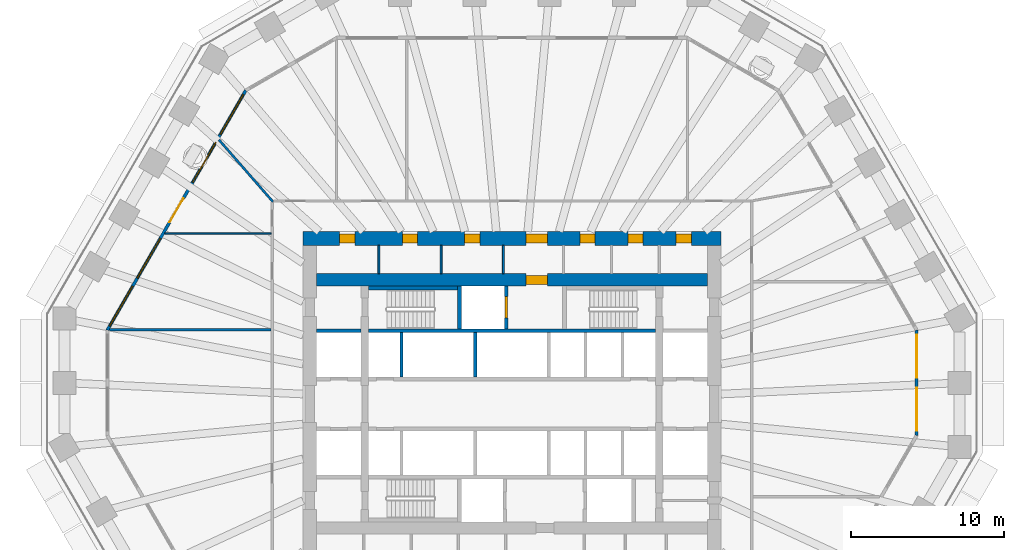
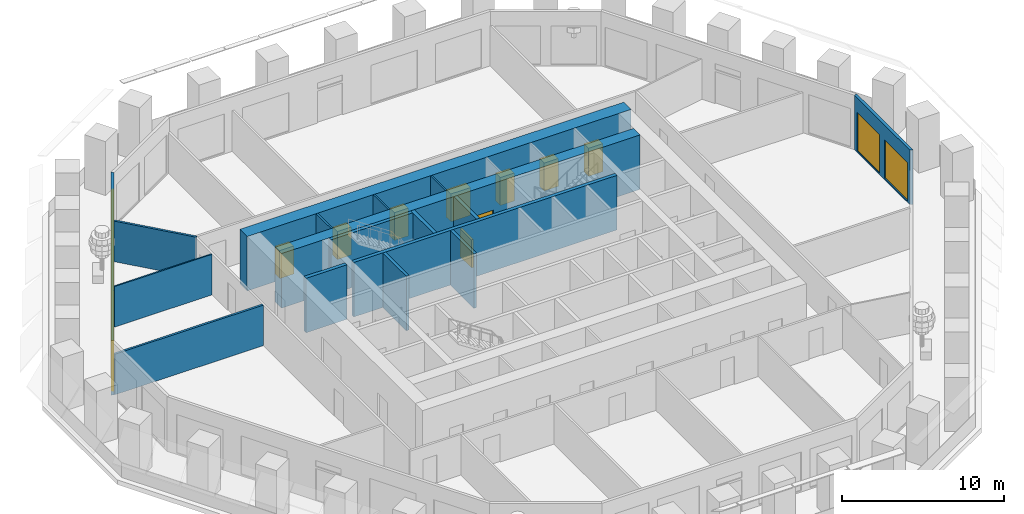
# One storey, part 6 of 12: 17 walls, 10 doors, 7 windows, 17 openings.
"""IFC4 building model written with IfcOpenShell, lengths in metres."""

from ifc_helpers import new_model, si_unit, direction, frame, frame_2d, origin, place, context, subcontext, project, spatial, polyline, rectangle, outline, extrude, material, layer, layer_set, type_object, element, fill, save


model = new_model("IFC4")

# Units and contexts
model_context = context("Model", 3, precision=1e-05, world=origin(), true_north=direction((0.0, 1.0)))
body_context = subcontext(model_context, "Body", "Model", "MODEL_VIEW")
ifc_project = project(units=[si_unit("LENGTHUNIT", "METRE"), si_unit("AREAUNIT", "SQUARE_METRE"), si_unit("VOLUMEUNIT", "CUBIC_METRE"), si_unit("PLANEANGLEUNIT", "RADIAN"), si_unit("MASSUNIT", "GRAM", prefix="KILO")], contexts=[model_context])

# Site, building, storey
site_placement = place(None, origin())
site = spatial("IfcSite", under=ifc_project, at=site_placement, CompositionType="ELEMENT")
building_placement = place(site_placement, origin())
building = spatial("IfcBuilding", under=site, at=building_placement, Name="Frailejon Research Tower", CompositionType="ELEMENT")
storey_placement = place(building_placement, frame((0.0, 0.0, 58.60009765625)))
storey = spatial("IfcBuildingStorey", under=building, at=storey_placement, Name="L13", CompositionType="ELEMENT", Elevation=58.60009765625)

# Walls
ifc_material_1 = material(Name="Plasterboard on steel studs", Category="steel")
ifc_layer_1 = layer(ifc_material_1, 0.125)
ifc_layer_set_1 = layer_set([ifc_layer_1], Name="Core partition 125")
wall_type_1 = type_object("IfcWallType", Name="Core partition 125", PredefinedType="PARTITIONING", material=ifc_layer_set_1)
for number, where, z_axis, x_axis, name in (
    (1, (-8.6875, 8.5, 0.0), (0.0, 0.0, 1.0), (0.0, 1.0, 0.0), "Core partition"),
    (2, (-4.625, 8.5, 0.0), (0.0, 0.0, 1.0), (0.0, 1.0, 0.0), "Core partition"),
    (3, (-0.5625, 8.5, 0.0), (0.0, 0.0, 1.0), (0.0, 1.0, 0.0), "Core partition"),
):
    element("IfcWall", number, at=place(storey_placement, frame(where, z_axis=z_axis, x_axis=x_axis)), inside=storey, type_object=wall_type_1, Name=name, PredefinedType="PARTITIONING", context=body_context, shape_type="SweptSolid", body=[
        extrude(rectangle(XDim=1.85009765625, YDim=0.125, at=frame_2d((0.925048828125, 0.0))), origin(), (0.0, 0.0, 1.0), 4.099853515625),
    ])

# Wall, opening, door
ifc_material_2 = material(Name="Concrete C70/85", Category="concrete")
ifc_layer_2 = layer(ifc_material_2, 0.800048828125)
ifc_layer_set_2 = layer_set([ifc_layer_2], Name="Core shear wall 800 C70/85")
wall_type_2 = type_object("IfcWallType", Name="Core shear wall 800 C70/85", PredefinedType="SHEAR", material=ifc_layer_set_2)
wall_1_placement = place(storey_placement, frame((-12.75, 8.10009765625, 0.0), z_axis=(0.0, 0.0, 1.0), x_axis=(1.0, 0.0, 0.0)))
wall_1 = element("IfcWall", 4, at=wall_1_placement, inside=storey, type_object=wall_type_2, Name="Core shear wall", PredefinedType="SHEAR", context=body_context, shape_type="SweptSolid", body=[
    extrude(rectangle(XDim=25.5, YDim=0.800048828125, at=frame_2d((12.75, 0.0))), origin(), (0.0, 0.0, 1.0), 4.099853515625),
])
opening_1_placement = place(wall_1_placement, frame((13.675048828125, 0.0, 0.0)))
opening_1 = element("IfcOpeningElement", 5, at=opening_1_placement, cuts=wall_1, Name="Opening D9", PredefinedType="OPENING", context=body_context, shape_type="SweptSolid", body=[
    extrude(rectangle(XDim=1.39990234375, YDim=2.10009765625, at=frame_2d((0.699951171875, 1.050048828125))), frame((0.0, 0.409912109375, 0.0), z_axis=(0.0, -1.0, 0.0), x_axis=(1.0, 0.0, 0.0)), (0.0, 0.0, 1.0), 0.820068359375),
])
ifc_material_3 = material(Name="Steel", Category="steel")
door_type_1 = type_object("IfcDoorType", Name="Goods lobby door", OperationType="DOUBLE_DOOR_SINGLE_SWING", PredefinedType="DOOR", material=ifc_material_3)
door_1_placement = place(opening_1_placement, origin())
door_1 = element("IfcDoor", 6, at=door_1_placement, inside=storey, type_object=door_type_1, Name="Goods lobby door", OperationType="DOUBLE_DOOR_SINGLE_SWING", OverallHeight=2.10009765625, OverallWidth=1.39990234375, PredefinedType="DOOR", context=body_context, shape_type="SweptSolid", body=[
    extrude(rectangle(XDim=1.39990234375, YDim=2.10009765625, at=frame_2d((0.699951171875, 1.050048828125))), frame((0.0, 0.300048828125, 0.0), z_axis=(0.0, -1.0, 0.0), x_axis=(1.0, 0.0, 0.0)), (0.0, 0.0, 1.0), 0.60009765625),
])
fill(opening_1, door_1)

# Wall, openings, doors
ifc_material_4 = material(Name="Concrete C70/85", Category="concrete")
ifc_layer_3 = layer(ifc_material_4, 0.89990234375)
ifc_layer_set_3 = layer_set([ifc_layer_3], Name="Core shear wall 900 C70/85")
wall_type_3 = type_object("IfcWallType", Name="Core shear wall 900 C70/85", PredefinedType="SHEAR", material=ifc_layer_set_3)
wall_2_placement = place(storey_placement, frame((-13.64990234375, 10.800048828125, 0.0), z_axis=(0.0, 0.0, 1.0), x_axis=(1.0, 0.0, 0.0)))
wall_2 = element("IfcWall", 7, at=wall_2_placement, inside=storey, type_object=wall_type_3, Name="Core shear wall", PredefinedType="SHEAR", context=body_context, shape_type="SweptSolid", body=[
    extrude(rectangle(XDim=27.2998046875, YDim=0.89990234375, at=frame_2d((13.64990234375, 0.0))), origin(), (0.0, 0.0, 1.0), 4.099853515625),
])
opening_2_placement = place(wall_2_placement, frame((2.39990234375, 0.0, 0.0)))
opening_2 = element("IfcOpeningElement", 8, at=opening_2_placement, cuts=wall_2, Name="Opening D4", PredefinedType="OPENING", context=body_context, shape_type="SweptSolid", body=[
    extrude(rectangle(XDim=1.0, YDim=2.10009765625, at=frame_2d((0.5, 1.050048828125))), frame((0.0, 0.4599609375, 0.0), z_axis=(0.0, -1.0, 0.0), x_axis=(1.0, 0.0, 0.0)), (0.0, 0.0, 1.0), 0.919921875),
])
opening_3_placement = place(wall_2_placement, frame((6.49365234375, 0.0, 0.0)))
opening_3 = element("IfcOpeningElement", 9, at=opening_3_placement, cuts=wall_2, Name="Opening D4", PredefinedType="OPENING", context=body_context, shape_type="SweptSolid", body=[
    extrude(rectangle(XDim=1.0, YDim=2.10009765625, at=frame_2d((0.5, 1.050048828125))), frame((0.0, 0.4599609375, 0.0), z_axis=(0.0, -1.0, 0.0), x_axis=(1.0, 0.0, 0.0)), (0.0, 0.0, 1.0), 0.919921875),
])
opening_4_placement = place(wall_2_placement, frame((10.55615234375, 0.0, 0.0)))
opening_4 = element("IfcOpeningElement", 10, at=opening_4_placement, cuts=wall_2, Name="Opening D4", PredefinedType="OPENING", context=body_context, shape_type="SweptSolid", body=[
    extrude(rectangle(XDim=1.0, YDim=2.10009765625, at=frame_2d((0.5, 1.050048828125))), frame((0.0, 0.4599609375, 0.0), z_axis=(0.0, -1.0, 0.0), x_axis=(1.0, 0.0, 0.0)), (0.0, 0.0, 1.0), 0.919921875),
])
opening_5_placement = place(wall_2_placement, frame((18.0771484375, 0.0, 0.0)))
opening_5 = element("IfcOpeningElement", 11, at=opening_5_placement, cuts=wall_2, Name="Opening D4", PredefinedType="OPENING", context=body_context, shape_type="SweptSolid", body=[
    extrude(rectangle(XDim=1.0, YDim=2.10009765625, at=frame_2d((0.5, 1.050048828125))), frame((0.0, 0.4599609375, 0.0), z_axis=(0.0, -1.0, 0.0), x_axis=(1.0, 0.0, 0.0)), (0.0, 0.0, 1.0), 0.919921875),
])
opening_6_placement = place(wall_2_placement, frame((21.206298828125, 0.0, 0.0)))
opening_6 = element("IfcOpeningElement", 12, at=opening_6_placement, cuts=wall_2, Name="Opening D4", PredefinedType="OPENING", context=body_context, shape_type="SweptSolid", body=[
    extrude(rectangle(XDim=1.0, YDim=2.10009765625, at=frame_2d((0.5, 1.050048828125))), frame((0.0, 0.4599609375, 0.0), z_axis=(0.0, -1.0, 0.0), x_axis=(1.0, 0.0, 0.0)), (0.0, 0.0, 1.0), 0.919921875),
])
opening_7_placement = place(wall_2_placement, frame((24.36669921875, 0.0, 0.0)))
opening_7 = element("IfcOpeningElement", 13, at=opening_7_placement, cuts=wall_2, Name="Opening D4", PredefinedType="OPENING", context=body_context, shape_type="SweptSolid", body=[
    extrude(rectangle(XDim=1.0, YDim=2.10009765625, at=frame_2d((0.5, 1.050048828125))), frame((0.0, 0.4599609375, 0.0), z_axis=(0.0, -1.0, 0.0), x_axis=(1.0, 0.0, 0.0)), (0.0, 0.0, 1.0), 0.919921875),
])
opening_8_placement = place(wall_2_placement, frame((14.574951171875, 0.0, 0.0)))
opening_8 = element("IfcOpeningElement", 14, at=opening_8_placement, cuts=wall_2, Name="Opening D9", PredefinedType="OPENING", context=body_context, shape_type="SweptSolid", body=[
    extrude(rectangle(XDim=1.39990234375, YDim=2.10009765625, at=frame_2d((0.699951171875, 1.050048828125))), frame((0.0, 0.4599609375, 0.0), z_axis=(0.0, -1.0, 0.0), x_axis=(1.0, 0.0, 0.0)), (0.0, 0.0, 1.0), 0.919921875),
])
door_2_placement = place(opening_8_placement, origin())
door_2 = element("IfcDoor", 15, at=door_2_placement, inside=storey, type_object=door_type_1, Name="Passage door", OperationType="DOUBLE_DOOR_SINGLE_SWING", OverallHeight=2.10009765625, OverallWidth=1.39990234375, PredefinedType="DOOR", context=body_context, shape_type="SweptSolid", body=[
    extrude(rectangle(XDim=1.39990234375, YDim=2.10009765625, at=frame_2d((0.699951171875, 1.050048828125))), frame((0.0, 0.300048828125, 0.0), z_axis=(0.0, -1.0, 0.0), x_axis=(1.0, 0.0, 0.0)), (0.0, 0.0, 1.0), 0.60009765625),
])
fill(opening_8, door_2)
ifc_material_5 = material(Name="Steel", Category="steel")
door_type_2 = type_object("IfcDoorType", Name="Service door", OperationType="SINGLE_SWING_LEFT", PredefinedType="DOOR", material=ifc_material_5)
door_3_placement = place(opening_2_placement, origin())
door_3 = element("IfcDoor", 16, at=door_3_placement, inside=storey, type_object=door_type_2, Name="Room door", OperationType="SINGLE_SWING_RIGHT", OverallHeight=2.10009765625, OverallWidth=1.0, PredefinedType="DOOR", context=body_context, shape_type="SweptSolid", body=[
    extrude(rectangle(XDim=1.0, YDim=2.10009765625, at=frame_2d((0.5, 1.050048828125))), frame((0.0, 0.300048828125, 0.0), z_axis=(0.0, -1.0, 0.0), x_axis=(1.0, 0.0, 0.0)), (0.0, 0.0, 1.0), 0.60009765625),
])
fill(opening_2, door_3)
door_4_placement = place(opening_3_placement, origin())
door_4 = element("IfcDoor", 17, at=door_4_placement, inside=storey, type_object=door_type_2, Name="Room door", OperationType="SINGLE_SWING_LEFT", OverallHeight=2.10009765625, OverallWidth=1.0, PredefinedType="DOOR", context=body_context, shape_type="SweptSolid", body=[
    extrude(rectangle(XDim=1.0, YDim=2.10009765625, at=frame_2d((0.5, 1.050048828125))), frame((0.0, 0.300048828125, 0.0), z_axis=(0.0, -1.0, 0.0), x_axis=(1.0, 0.0, 0.0)), (0.0, 0.0, 1.0), 0.60009765625),
])
fill(opening_3, door_4)
door_5_placement = place(opening_4_placement, origin())
door_5 = element("IfcDoor", 18, at=door_5_placement, inside=storey, type_object=door_type_2, Name="Room door", OperationType="SINGLE_SWING_RIGHT", OverallHeight=2.10009765625, OverallWidth=1.0, PredefinedType="DOOR", context=body_context, shape_type="SweptSolid", body=[
    extrude(rectangle(XDim=1.0, YDim=2.10009765625, at=frame_2d((0.5, 1.050048828125))), frame((0.0, 0.300048828125, 0.0), z_axis=(0.0, -1.0, 0.0), x_axis=(1.0, 0.0, 0.0)), (0.0, 0.0, 1.0), 0.60009765625),
])
fill(opening_4, door_5)
door_6_placement = place(opening_5_placement, origin())
door_6 = element("IfcDoor", 19, at=door_6_placement, inside=storey, type_object=door_type_2, Name="Room door", OperationType="SINGLE_SWING_LEFT", OverallHeight=2.10009765625, OverallWidth=1.0, PredefinedType="DOOR", context=body_context, shape_type="SweptSolid", body=[
    extrude(rectangle(XDim=1.0, YDim=2.10009765625, at=frame_2d((0.5, 1.050048828125))), frame((0.0, 0.300048828125, 0.0), z_axis=(0.0, -1.0, 0.0), x_axis=(1.0, 0.0, 0.0)), (0.0, 0.0, 1.0), 0.60009765625),
])
fill(opening_5, door_6)
door_7_placement = place(opening_6_placement, origin())
door_7 = element("IfcDoor", 20, at=door_7_placement, inside=storey, type_object=door_type_2, Name="Room door", OperationType="SINGLE_SWING_RIGHT", OverallHeight=2.10009765625, OverallWidth=1.0, PredefinedType="DOOR", context=body_context, shape_type="SweptSolid", body=[
    extrude(rectangle(XDim=1.0, YDim=2.10009765625, at=frame_2d((0.5, 1.050048828125))), frame((0.0, 0.300048828125, 0.0), z_axis=(0.0, -1.0, 0.0), x_axis=(1.0, 0.0, 0.0)), (0.0, 0.0, 1.0), 0.60009765625),
])
fill(opening_6, door_7)
door_8_placement = place(opening_7_placement, origin())
door_8 = element("IfcDoor", 21, at=door_8_placement, inside=storey, type_object=door_type_2, Name="Room door", OperationType="SINGLE_SWING_LEFT", OverallHeight=2.10009765625, OverallWidth=1.0, PredefinedType="DOOR", context=body_context, shape_type="SweptSolid", body=[
    extrude(rectangle(XDim=1.0, YDim=2.10009765625, at=frame_2d((0.5, 1.050048828125))), frame((0.0, 0.300048828125, 0.0), z_axis=(0.0, -1.0, 0.0), x_axis=(1.0, 0.0, 0.0)), (0.0, 0.0, 1.0), 0.60009765625),
])
fill(opening_7, door_8)

# Walls
ifc_material_6 = material(Name="Gypsum board and masonry partition", Category="masonry")
ifc_layer_4 = layer(ifc_material_6, 0.14990234375)
ifc_layer_set_4 = layer_set([ifc_layer_4], Name="Laboratory partition, blockwork 150")
wall_type_4 = type_object("IfcWallType", Name="Laboratory partition, blockwork 150", PredefinedType="PARTITIONING", material=ifc_layer_set_4)
wall_3_placement = place(storey_placement, frame((-19.125732421875, 17.23876953125, 0.0), z_axis=(0.0, 0.0, 1.0), x_axis=(0.65698603945, -0.753902741717, 0.0)))
element("IfcWall", 22, at=wall_3_placement, inside=storey, type_object=wall_type_4, Name="T:IW:L13:010", PredefinedType="PARTITIONING", context=body_context, shape_type="SweptSolid", body=[
    extrude(rectangle(XDim=5.36572265625, YDim=0.14990234375, at=frame_2d((2.682861328125, 0.0))), origin(), (0.0, 0.0, 1.0), 3.0498046875),
])
wall_4_placement = place(storey_placement, frame((-26.2802734375, 4.846923828125, 0.0), z_axis=(0.0, 0.0, 1.0), x_axis=(1.0, 0.0, 0.0)))
element("IfcWall", 23, at=wall_4_placement, inside=storey, type_object=wall_type_4, Name="T:IW:L13:011", PredefinedType="PARTITIONING", context=body_context, shape_type="SweptSolid", body=[
    extrude(rectangle(XDim=10.55517578125, YDim=0.14990234375, at=frame_2d((5.277587890625, 0.0))), origin(), (0.0, 0.0, 1.0), 3.0498046875),
])
ifc_material_7 = material(Name="Gypsum board and masonry partition", Category="masonry")
ifc_layer_5 = layer(ifc_material_7, 0.10009765625)
ifc_layer_set_5 = layer_set([ifc_layer_5], Name="Partition, gypsum on steel studs 100")
wall_type_5 = type_object("IfcWallType", Name="Partition, gypsum on steel studs 100", PredefinedType="PARTITIONING", material=ifc_layer_set_5)
wall_5_placement = place(storey_placement, frame((-22.656982421875, 11.12255859375, 0.0), z_axis=(0.0, 0.0, 1.0), x_axis=(1.0, 0.0, 0.0)))
element("IfcWall", 24, at=wall_5_placement, inside=storey, type_object=wall_type_5, Name="T:IW:L13:017", PredefinedType="PARTITIONING", context=body_context, shape_type="SweptSolid", body=[
    extrude(rectangle(XDim=6.931884765625, YDim=0.10009765625, at=frame_2d((3.4658203125, 0.0))), origin(), (0.0, 0.0, 1.0), 3.0498046875),
])
ifc_material_8 = material(Name="Concrete C70/85", Category="concrete")
ifc_layer_6 = layer(ifc_material_8, 0.199951171875)
ifc_layer_set_6 = layer_set([ifc_layer_6], Name="Shaft wall 200 C70/85")
wall_type_6 = type_object("IfcWallType", Name="Shaft wall 200 C70/85", PredefinedType="SOLIDWALL", material=ifc_layer_set_6)
for number, where, z_axis, x_axis, name in (
    (25, (-7.199951171875, 1.75, 0.0), (0.0, 0.0, 1.0), (0.0, 1.0, 0.0), "Shaft wall"),
    (26, (-2.39990234375, 1.75, 0.0), (0.0, 0.0, 1.0), (0.0, 1.0, 0.0), "Shaft wall"),
):
    element("IfcWall", number, at=place(storey_placement, frame(where, z_axis=z_axis, x_axis=x_axis)), inside=storey, type_object=wall_type_6, Name=name, PredefinedType="SOLIDWALL", context=body_context, shape_type="SweptSolid", body=[
        extrude(rectangle(XDim=2.89990234375, YDim=0.199951171875, at=frame_2d((1.449951171875, 0.0))), origin(), (0.0, 0.0, 1.0), 4.099853515625),
    ])
ifc_material_9 = material(Name="Concrete C70/85", Category="concrete")
ifc_layer_7 = layer(ifc_material_9, 0.25)
ifc_layer_set_7 = layer_set([ifc_layer_7], Name="Shaft wall 250 C70/85")
wall_type_7 = type_object("IfcWallType", Name="Shaft wall 250 C70/85", PredefinedType="SOLIDWALL", material=ifc_layer_set_7)
wall_6_placement = place(storey_placement, frame((-12.75, 4.77490234375, 0.0), z_axis=(0.0, 0.0, 1.0), x_axis=(1.0, 0.0, 0.0)))
element("IfcWall", 27, at=wall_6_placement, inside=storey, type_object=wall_type_7, Name="Shaft wall", PredefinedType="SOLIDWALL", context=body_context, shape_type="SweptSolid", body=[
    extrude(rectangle(XDim=2.89990234375, YDim=0.25, at=frame_2d((1.449951171875, 0.0))), origin(), (0.0, 0.0, 1.0), 4.099853515625),
])
wall_7_placement = place(storey_placement, frame((-9.35009765625, 4.77490234375, 0.0), z_axis=(0.0, 0.0, 1.0), x_axis=(1.0, 0.0, 0.0)))
element("IfcWall", 28, at=wall_7_placement, inside=storey, type_object=wall_type_7, Name="Shaft wall", PredefinedType="SOLIDWALL", context=body_context, shape_type="SweptSolid", body=[
    extrude(rectangle(XDim=18.7001953125, YDim=0.25, at=frame_2d((9.35009765625, 0.0))), origin(), (0.0, 0.0, 1.0), 4.099853515625),
])
wall_8_placement = place(storey_placement, frame((-9.35009765625, 7.574951171875, 0.0), z_axis=(0.0, 0.0, 1.0), x_axis=(1.0, 0.0, 0.0)))
element("IfcWall", 29, at=wall_8_placement, inside=storey, type_object=wall_type_7, Name="Shaft wall", PredefinedType="SOLIDWALL", context=body_context, shape_type="SweptSolid", body=[
    extrude(rectangle(XDim=5.800048828125, YDim=0.25, at=frame_2d((2.89990234375, 0.0))), origin(), (0.0, 0.0, 1.0), 4.099853515625),
])
wall_9_placement = place(storey_placement, frame((-3.425048828125, 4.89990234375, 0.0), z_axis=(0.0, 0.0, 1.0), x_axis=(0.0, 1.0, 0.0)))
element("IfcWall", 30, at=wall_9_placement, inside=storey, type_object=wall_type_7, Name="Shaft wall", PredefinedType="SOLIDWALL", context=body_context, shape_type="SweptSolid", body=[
    extrude(rectangle(XDim=2.800048828125, YDim=0.25, at=frame_2d((1.39990234375, 0.0))), origin(), (0.0, 0.0, 1.0), 4.099853515625),
])

# Wall, opening, door
wall_10_placement = place(storey_placement, frame((-0.375, 4.89990234375, 0.0), z_axis=(0.0, 0.0, 1.0), x_axis=(0.0, 1.0, 0.0)))
wall_10 = element("IfcWall", 31, at=wall_10_placement, inside=storey, type_object=wall_type_7, Name="Shaft wall", PredefinedType="SOLIDWALL", context=body_context, shape_type="SweptSolid", body=[
    extrude(rectangle(XDim=2.800048828125, YDim=0.25, at=frame_2d((1.39990234375, 0.0))), origin(), (0.0, 0.0, 1.0), 4.099853515625),
])
opening_9_placement = place(wall_10_placement, frame((0.699951171875, 0.0, 0.0)))
opening_9 = element("IfcOpeningElement", 32, at=opening_9_placement, cuts=wall_10, Name="Opening LD2", PredefinedType="OPENING", context=body_context, shape_type="SweptSolid", body=[
    extrude(rectangle(XDim=1.39990234375, YDim=2.10009765625, at=frame_2d((0.699951171875, 1.050048828125))), frame((0.0, 0.135009765625, 0.0), z_axis=(0.0, -1.0, 0.0), x_axis=(1.0, 0.0, 0.0)), (0.0, 0.0, 1.0), 0.27001953125),
])
ifc_material_10 = material(Name="Stainless steel", Category="steel")
door_type_3 = type_object("IfcDoorType", Name="Goods landing door", OperationType="DOUBLE_DOOR_SLIDING", PredefinedType="DOOR", material=ifc_material_10)
door_9_placement = place(opening_9_placement, origin())
door_9 = element("IfcDoor", 33, at=door_9_placement, inside=storey, type_object=door_type_3, Name="Lift landing door", OperationType="DOUBLE_DOOR_SLIDING", OverallHeight=2.10009765625, OverallWidth=1.39990234375, PredefinedType="DOOR", context=body_context, shape_type="SweptSolid", body=[
    extrude(rectangle(XDim=1.39990234375, YDim=2.10009765625, at=frame_2d((0.699951171875, 1.050048828125))), frame((0.0, 0.074951171875, 0.0), z_axis=(0.0, -1.0, 0.0), x_axis=(1.0, 0.0, 0.0)), (0.0, 0.0, 1.0), 0.14990234375),
])
fill(opening_9, door_9)

# Wall, openings, windows
ifc_material_11 = material(Name="Concrete C40/50 precast window wall panel", Category="concrete")
ifc_layer_8 = layer(ifc_material_11, 0.199951171875)
ifc_layer_set_8 = layer_set([ifc_layer_8], Name="Window wall 200")
wall_type_8 = type_object("IfcWallType", Name="Window wall 200", PredefinedType="SOLIDWALL", material=ifc_layer_set_8)
wall_11_placement = place(storey_placement, frame((26.4111328125, -2.0546875, 0.0), z_axis=(0.0, 0.0, 1.0), x_axis=(0.0, 1.0, 0.0)))
wall_11 = element("IfcWall", 34, at=wall_11_placement, inside=storey, type_object=wall_type_8, Name="Exterior wall L13", PredefinedType="SOLIDWALL", context=body_context, shape_type="SweptSolid", body=[
    extrude(outline(polyline([(-0.02685546875, -0.10009765625), (1.1279296875, -0.10009765625), (2.28271484375, -0.10009765625), (3.4375, -0.10009765625), (4.592041015625, -0.10009765625), (5.746826171875, -0.10009765625), (6.901611328125, -0.10009765625), (6.847900390625, 0.10009765625), (5.7109375, 0.10009765625), (4.57421875, 0.10009765625), (3.4375, 0.10009765625), (2.300537109375, 0.10009765625), (1.16357421875, 0.10009765625), (0.02685546875, 0.10009765625), (-0.02685546875, -0.10009765625)])), origin(), (0.0, 0.0, 1.0), 4.099853515625),
])
opening_10_placement = place(wall_11_placement, frame((0.318603515625, 0.0, 0.10009765625)))
opening_10 = element("IfcOpeningElement", 35, at=opening_10_placement, cuts=wall_11, Name="Opening W3", PredefinedType="OPENING", context=body_context, shape_type="SweptSolid", body=[
    extrude(rectangle(XDim=2.800048828125, YDim=2.89990234375, at=frame_2d((1.39990234375, 1.449951171875))), frame((0.0, 0.10986328125, 0.0), z_axis=(0.0, -1.0, 0.0), x_axis=(1.0, 0.0, 0.0)), (0.0, 0.0, 1.0), 0.219970703125),
])
opening_11_placement = place(wall_11_placement, frame((3.756103515625, 0.0, 0.10009765625)))
opening_11 = element("IfcOpeningElement", 36, at=opening_11_placement, cuts=wall_11, Name="Opening W3", PredefinedType="OPENING", context=body_context, shape_type="SweptSolid", body=[
    extrude(rectangle(XDim=2.800048828125, YDim=2.89990234375, at=frame_2d((1.39990234375, 1.449951171875))), frame((0.0, 0.10986328125, 0.0), z_axis=(0.0, -1.0, 0.0), x_axis=(1.0, 0.0, 0.0)), (0.0, 0.0, 1.0), 0.219970703125),
])
ifc_material_12 = material(Name="Aluminium framed double glazing", Category="aluminium")
window_type_1 = type_object("IfcWindowType", Name="Window 2800x2900", PartitioningType="SINGLE_PANEL", PredefinedType="WINDOW", material=ifc_material_12)
window_1_placement = place(opening_10_placement, origin())
window_1 = element("IfcWindow", 37, at=window_1_placement, inside=storey, type_object=window_type_1, Name="Window L13", OverallHeight=2.89990234375, OverallWidth=2.800048828125, PartitioningType="SINGLE_PANEL", PredefinedType="WINDOW", context=body_context, shape_type="SweptSolid", body=[
    extrude(rectangle(XDim=2.800048828125, YDim=2.89990234375, at=frame_2d((1.39990234375, 1.449951171875))), frame((0.0, 0.030029296875, 0.0), z_axis=(0.0, -1.0, 0.0), x_axis=(1.0, 0.0, 0.0)), (0.0, 0.0, 1.0), 0.06005859375),
])
fill(opening_10, window_1)
window_2_placement = place(opening_11_placement, origin())
window_2 = element("IfcWindow", 38, at=window_2_placement, inside=storey, type_object=window_type_1, Name="Window L13", OverallHeight=2.89990234375, OverallWidth=2.800048828125, PartitioningType="SINGLE_PANEL", PredefinedType="WINDOW", context=body_context, shape_type="SweptSolid", body=[
    extrude(rectangle(XDim=2.800048828125, YDim=2.89990234375, at=frame_2d((1.39990234375, 1.449951171875))), frame((0.0, 0.030029296875, 0.0), z_axis=(0.0, -1.0, 0.0), x_axis=(1.0, 0.0, 0.0)), (0.0, 0.0, 1.0), 0.06005859375),
])
fill(opening_11, window_2)

# Wall, openings, door, windows
wall_12_placement = place(storey_placement, frame((-17.3798828125, 20.462646484375, 0.0), z_axis=(0.0, 0.0, 1.0), x_axis=(-0.500000137386, -0.866025324465, 0.0)))
wall_12 = element("IfcWall", 39, at=wall_12_placement, inside=storey, type_object=wall_type_8, Name="Exterior wall L13", PredefinedType="SOLIDWALL", context=body_context, shape_type="SweptSolid", body=[
    extrude(outline(polyline([(-0.02685546875, -0.10009765625), (0.9794921875, -0.10009765625), (1.986083984375, -0.10009765625), (2.992431640625, -0.10009765625), (3.9990234375, -0.10009765625), (5.00537109375, -0.10009765625), (6.011962890625, -0.10009765625), (7.018310546875, -0.10009765625), (8.02490234375, -0.10009765625), (9.03125, -0.10009765625), (10.03759765625, -0.10009765625), (11.044189453125, -0.10009765625), (12.050537109375, -0.10009765625), (13.05712890625, -0.10009765625), (14.0634765625, -0.10009765625), (15.070068359375, -0.10009765625), (16.076416015625, -0.10009765625), (17.0830078125, -0.10009765625), (18.08935546875, -0.10009765625), (18.03564453125, 0.10009765625), (17.03515625, 0.10009765625), (16.03466796875, 0.10009765625), (15.0341796875, 0.10009765625), (14.03369140625, 0.10009765625), (13.033203125, 0.10009765625), (12.03271484375, 0.10009765625), (11.0322265625, 0.10009765625), (10.03173828125, 0.10009765625), (9.03125, 0.10009765625), (8.03076171875, 0.10009765625), (7.0302734375, 0.10009765625), (6.02978515625, 0.10009765625), (5.029296875, 0.10009765625), (4.02880859375, 0.10009765625), (3.0283203125, 0.10009765625), (2.02783203125, 0.10009765625), (1.02734375, 0.10009765625), (0.02685546875, 0.10009765625), (-0.02685546875, -0.10009765625)])), origin(), (0.0, 0.0, 1.0), 4.099853515625),
])
opening_12_placement = place(wall_12_placement, frame((0.306396484375, 0.0, 0.10009765625)))
opening_12 = element("IfcOpeningElement", 40, at=opening_12_placement, cuts=wall_12, Name="Opening W4", PredefinedType="OPENING", context=body_context, shape_type="SweptSolid", body=[
    extrude(rectangle(XDim=3.0, YDim=2.89990234375, at=frame_2d((1.5, 1.449951171875))), frame((0.0, 0.10986328125, 0.0), z_axis=(0.0, -1.0, 0.0), x_axis=(1.0, 0.0, 0.0)), (0.0, 0.0, 1.0), 0.219970703125),
])
opening_13_placement = place(wall_12_placement, frame((3.918701171875, 0.0, 0.10009765625)))
opening_13 = element("IfcOpeningElement", 41, at=opening_13_placement, cuts=wall_12, Name="Opening W4", PredefinedType="OPENING", context=body_context, shape_type="SweptSolid", body=[
    extrude(rectangle(XDim=3.0, YDim=2.89990234375, at=frame_2d((1.5, 1.449951171875))), frame((0.0, 0.10986328125, 0.0), z_axis=(0.0, -1.0, 0.0), x_axis=(1.0, 0.0, 0.0)), (0.0, 0.0, 1.0), 0.219970703125),
])
opening_14_placement = place(wall_12_placement, frame((8.13134765625, 0.0, 0.0)))
opening_14 = element("IfcOpeningElement", 42, at=opening_14_placement, cuts=wall_12, Name="Opening LG13-3", PredefinedType="OPENING", context=body_context, shape_type="SweptSolid", body=[
    extrude(rectangle(XDim=1.800048828125, YDim=2.39990234375, at=frame_2d((0.89990234375, 1.199951171875))), frame((0.0, 0.10986328125, 0.0), z_axis=(0.0, -1.0, 0.0), x_axis=(1.0, 0.0, 0.0)), (0.0, 0.0, 1.0), 0.219970703125),
])
opening_15_placement = place(wall_12_placement, frame((8.13134765625, 0.0, 2.550048828125)))
opening_15 = element("IfcOpeningElement", 43, at=opening_15_placement, cuts=wall_12, Name="Opening W1", PredefinedType="OPENING", context=body_context, shape_type="SweptSolid", body=[
    extrude(rectangle(XDim=1.800048828125, YDim=0.449951171875, at=frame_2d((0.89990234375, 0.22509765625))), frame((0.0, 0.10986328125, 0.0), z_axis=(0.0, -1.0, 0.0), x_axis=(1.0, 0.0, 0.0)), (0.0, 0.0, 1.0), 0.219970703125),
])
opening_16_placement = place(wall_12_placement, frame((11.143798828125, 0.0, 0.10009765625)))
opening_16 = element("IfcOpeningElement", 44, at=opening_16_placement, cuts=wall_12, Name="Opening W4", PredefinedType="OPENING", context=body_context, shape_type="SweptSolid", body=[
    extrude(rectangle(XDim=3.0, YDim=2.89990234375, at=frame_2d((1.5, 1.449951171875))), frame((0.0, 0.10986328125, 0.0), z_axis=(0.0, -1.0, 0.0), x_axis=(1.0, 0.0, 0.0)), (0.0, 0.0, 1.0), 0.219970703125),
])
opening_17_placement = place(wall_12_placement, frame((14.75634765625, 0.0, 0.10009765625)))
opening_17 = element("IfcOpeningElement", 45, at=opening_17_placement, cuts=wall_12, Name="Opening W4", PredefinedType="OPENING", context=body_context, shape_type="SweptSolid", body=[
    extrude(rectangle(XDim=3.0, YDim=2.89990234375, at=frame_2d((1.5, 1.449951171875))), frame((0.0, 0.10986328125, 0.0), z_axis=(0.0, -1.0, 0.0), x_axis=(1.0, 0.0, 0.0)), (0.0, 0.0, 1.0), 0.219970703125),
])
ifc_material_13 = material(Name="Aluminium framed glazed door leaf", Category="aluminium")
door_type_4 = type_object("IfcDoorType", Name="Loggia door 1800x2400", OperationType="DOUBLE_DOOR_SINGLE_SWING", PredefinedType="DOOR", material=ifc_material_13)
door_10_placement = place(opening_14_placement, origin())
door_10 = element("IfcDoor", 46, at=door_10_placement, inside=storey, type_object=door_type_4, Name="Door LG13-3", OperationType="DOUBLE_DOOR_SINGLE_SWING", OverallHeight=2.39990234375, OverallWidth=1.800048828125, PredefinedType="DOOR", context=body_context, shape_type="SweptSolid", body=[
    extrude(rectangle(XDim=1.800048828125, YDim=2.39990234375, at=frame_2d((0.89990234375, 1.199951171875))), frame((0.0, 0.02490234375, 0.0), z_axis=(0.0, -1.0, 0.0), x_axis=(1.0, 0.0, 0.0)), (0.0, 0.0, 1.0), 0.050048828125),
])
fill(opening_14, door_10)
ifc_material_14 = material(Name="Aluminium framed double glazing", Category="aluminium")
window_type_2 = type_object("IfcWindowType", Name="Window 1800x450", PartitioningType="SINGLE_PANEL", PredefinedType="WINDOW", material=ifc_material_14)
window_3_placement = place(opening_15_placement, origin())
window_3 = element("IfcWindow", 47, at=window_3_placement, inside=storey, type_object=window_type_2, Name="Window L13", OverallHeight=0.449951171875, OverallWidth=1.800048828125, PartitioningType="SINGLE_PANEL", PredefinedType="WINDOW", context=body_context, shape_type="SweptSolid", body=[
    extrude(rectangle(XDim=1.800048828125, YDim=0.449951171875, at=frame_2d((0.89990234375, 0.22509765625))), frame((0.0, 0.030029296875, 0.0), z_axis=(0.0, -1.0, 0.0), x_axis=(1.0, 0.0, 0.0)), (0.0, 0.0, 1.0), 0.06005859375),
])
fill(opening_15, window_3)
ifc_material_15 = material(Name="Aluminium framed double glazing", Category="aluminium")
window_type_3 = type_object("IfcWindowType", Name="Window 3000x2900", PartitioningType="SINGLE_PANEL", PredefinedType="WINDOW", material=ifc_material_15)
window_4_placement = place(opening_12_placement, origin())
window_4 = element("IfcWindow", 48, at=window_4_placement, inside=storey, type_object=window_type_3, Name="Window L13", OverallHeight=2.89990234375, OverallWidth=3.0, PartitioningType="SINGLE_PANEL", PredefinedType="WINDOW", context=body_context, shape_type="SweptSolid", body=[
    extrude(rectangle(XDim=3.0, YDim=2.89990234375, at=frame_2d((1.5, 1.449951171875))), frame((0.0, 0.030029296875, 0.0), z_axis=(0.0, -1.0, 0.0), x_axis=(1.0, 0.0, 0.0)), (0.0, 0.0, 1.0), 0.06005859375),
])
fill(opening_12, window_4)
window_5_placement = place(opening_13_placement, origin())
window_5 = element("IfcWindow", 49, at=window_5_placement, inside=storey, type_object=window_type_3, Name="Window L13", OverallHeight=2.89990234375, OverallWidth=3.0, PartitioningType="SINGLE_PANEL", PredefinedType="WINDOW", context=body_context, shape_type="SweptSolid", body=[
    extrude(rectangle(XDim=3.0, YDim=2.89990234375, at=frame_2d((1.5, 1.449951171875))), frame((0.0, 0.030029296875, 0.0), z_axis=(0.0, -1.0, 0.0), x_axis=(1.0, 0.0, 0.0)), (0.0, 0.0, 1.0), 0.06005859375),
])
fill(opening_13, window_5)
window_6_placement = place(opening_16_placement, origin())
window_6 = element("IfcWindow", 50, at=window_6_placement, inside=storey, type_object=window_type_3, Name="Window L13", OverallHeight=2.89990234375, OverallWidth=3.0, PartitioningType="SINGLE_PANEL", PredefinedType="WINDOW", context=body_context, shape_type="SweptSolid", body=[
    extrude(rectangle(XDim=3.0, YDim=2.89990234375, at=frame_2d((1.5, 1.449951171875))), frame((0.0, 0.030029296875, 0.0), z_axis=(0.0, -1.0, 0.0), x_axis=(1.0, 0.0, 0.0)), (0.0, 0.0, 1.0), 0.06005859375),
])
fill(opening_16, window_6)
window_7_placement = place(opening_17_placement, origin())
window_7 = element("IfcWindow", 51, at=window_7_placement, inside=storey, type_object=window_type_3, Name="Window L13", OverallHeight=2.89990234375, OverallWidth=3.0, PartitioningType="SINGLE_PANEL", PredefinedType="WINDOW", context=body_context, shape_type="SweptSolid", body=[
    extrude(rectangle(XDim=3.0, YDim=2.89990234375, at=frame_2d((1.5, 1.449951171875))), frame((0.0, 0.030029296875, 0.0), z_axis=(0.0, -1.0, 0.0), x_axis=(1.0, 0.0, 0.0)), (0.0, 0.0, 1.0), 0.06005859375),
])
fill(opening_17, window_7)

save(model, "model.ifc")
